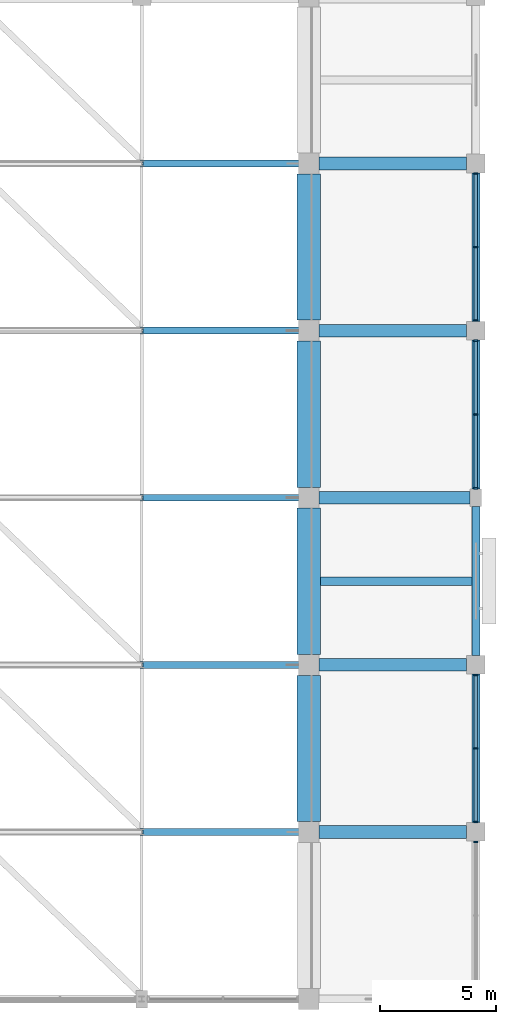
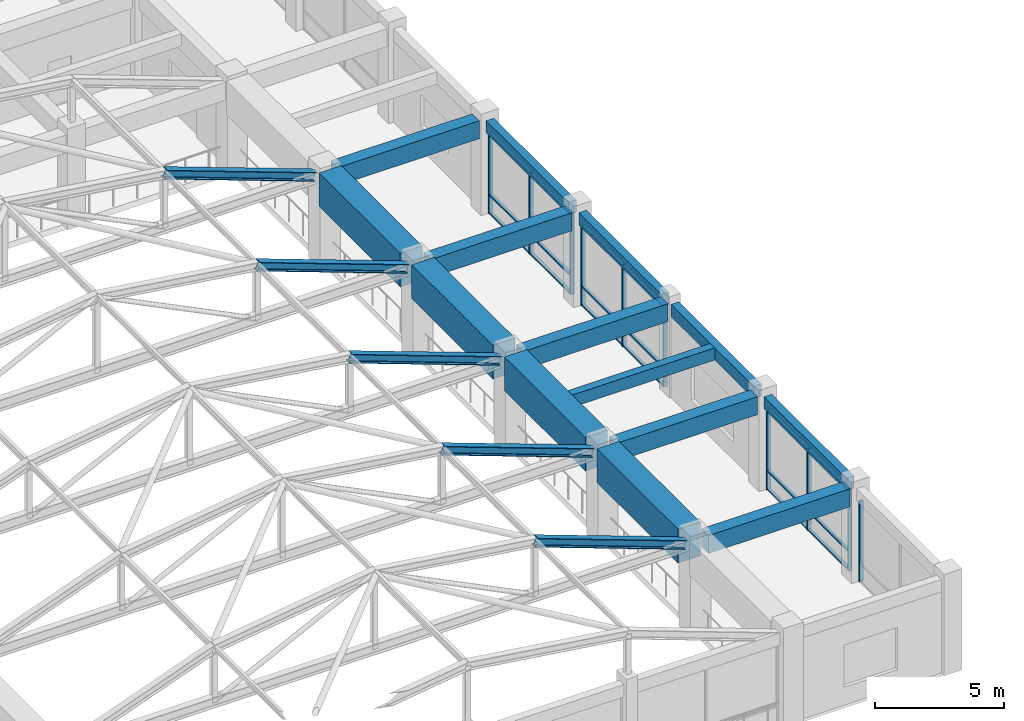
# One storey, part 42 of 75: 33 members, 14 beams, 4 elements without a shape of their own.
"""IFC4 building model written with IfcOpenShell, lengths in metres."""

from ifc_helpers import new_model, si_unit, direction, frame, origin, origin_2d, place, context, subcontext, project, spatial, rectangle, i_section, extrude, material, layer, layer_set, material_profile, profile_set, type_object, element, aggregate, save


model = new_model("IFC4")

# Units and contexts
model_context = context("Model", 3, precision=1e-05, world=origin(), true_north=direction((0.0, 1.0)))
body_context = subcontext(model_context, "Body", "Model", "MODEL_VIEW")
ifc_project = project(units=[si_unit("LENGTHUNIT", "METRE"), si_unit("AREAUNIT", "SQUARE_METRE"), si_unit("VOLUMEUNIT", "CUBIC_METRE"), si_unit("PLANEANGLEUNIT", "RADIAN"), si_unit("MASSUNIT", "GRAM", prefix="KILO")], contexts=[model_context])

# Site, building, storey
site_placement = place(None, origin())
site = spatial("IfcSite", under=ifc_project, at=site_placement, CompositionType="ELEMENT")
building_placement = place(site_placement, origin())
building = spatial("IfcBuilding", under=site, at=building_placement, Name="Cendaluz Park School", CompositionType="ELEMENT")
storey_placement = place(building_placement, frame((0.0, 0.0, 4.800048828125)))
storey = spatial("IfcBuildingStorey", under=building, at=storey_placement, Name="L01", CompositionType="ELEMENT", Elevation=4.800048828125)

# Beams
ifc_material_1 = material(Name="Concrete C40/50", Category="concrete")
ifc_material_profile_1 = material_profile(ifc_material_1, rectangle(XDim=0.550048828125, YDim=0.85009765625, at=origin_2d()), Name="RC 550x850", Category="concrete")
ifc_profile_set_1 = profile_set([ifc_material_profile_1], Name="Concrete C40/50")
beam_type_1 = type_object("IfcBeamType", Name="BM-RC01", PredefinedType="BEAM", material=ifc_profile_set_1)
for number, where, z_axis, x_axis, name in (
    (1, (166.050048828125, 64.800048828125, 4.0048828125), (1.0, 0.0, 0.0), (0.0, 1.0, 0.0), "BM-L01-BMRC01-0217"),
    (2, (166.050048828125, 72.0, 4.0048828125), (1.0, 0.0, 0.0), (0.0, 1.0, 0.0), "BM-L01-BMRC01-0218"),
):
    element("IfcBeam", number, at=place(storey_placement, frame(where, z_axis=z_axis, x_axis=x_axis)), inside=storey, type_object=beam_type_1, Name=name, PredefinedType="BEAM", context=body_context, shape_type="SweptSolid", body=[
        extrude(rectangle(XDim=0.550048828125, YDim=0.85009765625, at=origin_2d()), origin(), (0.0, 0.0, 1.0), 6.349853515625),
    ])
beam_1_placement = place(storey_placement, frame((166.050048828125, 79.199951171875, 4.0048828125), z_axis=(1.0, 0.0, 0.0), x_axis=(0.0, 1.0, 0.0)))
element("IfcBeam", 3, at=beam_1_placement, inside=storey, type_object=beam_type_1, Name="BM-L01-BMRC01-0219", PredefinedType="BEAM", context=body_context, shape_type="SweptSolid", body=[
    extrude(rectangle(XDim=0.550048828125, YDim=0.85009765625, at=origin_2d()), origin(), (0.0, 0.0, 1.0), 6.5),
])
for number, where, z_axis, x_axis, name in (
    (4, (166.050048828125, 86.39990234375, 4.0048828125), (1.0, 0.0, 0.0), (0.0, 1.0, 0.0), "BM-L01-BMRC01-0220"),
    (5, (166.050048828125, 93.60009765625, 4.0048828125), (1.0, 0.0, 0.0), (0.0, 1.0, 0.0), "BM-L01-BMRC01-0221"),
):
    element("IfcBeam", number, at=place(storey_placement, frame(where, z_axis=z_axis, x_axis=x_axis)), inside=storey, type_object=beam_type_1, Name=name, PredefinedType="BEAM", context=body_context, shape_type="SweptSolid", body=[
        extrude(rectangle(XDim=0.550048828125, YDim=0.85009765625, at=origin_2d()), origin(), (0.0, 0.0, 1.0), 6.349853515625),
    ])
ifc_material_profile_2 = material_profile(ifc_material_1, rectangle(XDim=0.35009765625, YDim=0.580078125, at=origin_2d()), Name="RC 350x580", Category="concrete")
ifc_profile_set_2 = profile_set([ifc_material_profile_2], Name="Concrete C40/50")
beam_type_2 = type_object("IfcBeamType", Name="BM-RC04", PredefinedType="LINTEL", material=ifc_profile_set_2)
beam_2_placement = place(storey_placement, frame((172.800048828125, 65.199951171875, 4.139892578125), z_axis=(0.0, 1.0, 0.0), x_axis=(-1.0, 0.0, 0.0)))
element("IfcBeam", 6, at=beam_2_placement, inside=storey, type_object=beam_type_2, Name="BM-L01-BMRC04-0458", PredefinedType="LINTEL", context=body_context, shape_type="SweptSolid", body=[
    extrude(rectangle(XDim=0.35009765625, YDim=0.580078125, at=origin_2d()), origin(), (0.0, 0.0, 1.0), 6.400146484375),
])
for number, where, z_axis, x_axis, name in (
    (7, (172.800048828125, 72.39990234375, 4.139892578125), (0.0, 1.0, 0.0), (-1.0, 0.0, 0.0), "BM-L01-BMRC04-0459"),
    (8, (172.800048828125, 79.574951171875, 4.139892578125), (0.0, 1.0, 0.0), (-1.0, 0.0, 0.0), "BM-L01-BMRC04-0460"),
):
    element("IfcBeam", number, at=place(storey_placement, frame(where, z_axis=z_axis, x_axis=x_axis)), inside=storey, type_object=beam_type_2, Name=name, PredefinedType="LINTEL", context=body_context, shape_type="SweptSolid", body=[
        extrude(rectangle(XDim=0.35009765625, YDim=0.580078125, at=origin_2d()), origin(), (0.0, 0.0, 1.0), 6.425048828125),
    ])
beam_3_placement = place(storey_placement, frame((172.800048828125, 86.800048828125, 4.139892578125), z_axis=(0.0, 1.0, 0.0), x_axis=(-1.0, 0.0, 0.0)))
element("IfcBeam", 9, at=beam_3_placement, inside=storey, type_object=beam_type_2, Name="BM-L01-BMRC04-0461", PredefinedType="LINTEL", context=body_context, shape_type="SweptSolid", body=[
    extrude(rectangle(XDim=0.35009765625, YDim=0.580078125, at=origin_2d()), origin(), (0.0, 0.0, 1.0), 6.39990234375),
])

# Curtain wall, member
ifc_material_2 = material(Name="Anodised Aluminium 6063-T6", Category="aluminium")
ifc_layer = layer(ifc_material_2, 0.179931640625)
ifc_layer_set = layer_set([ifc_layer], Name="Anodised Aluminium 6063-T6")
curtain_wall_type = type_object("IfcCurtainWallType", Name="CW-128x77", PredefinedType="NOTDEFINED", material=ifc_layer_set)
curtain_wall_1_placement = place(storey_placement, origin())
curtain_wall_1 = element("IfcCurtainWall", 10, at=curtain_wall_1_placement, inside=storey, type_object=curtain_wall_type, Name="CW-L01-083", PredefinedType="NOTDEFINED")
ifc_material_profile_3 = material_profile(ifc_material_2, rectangle(XDim=0.179931640625, YDim=0.070068359375, at=origin_2d()), Name="CWM 180x70", Category="aluminium")
ifc_profile_set_3 = profile_set([ifc_material_profile_3], Name="Anodised Aluminium 6063-T6")
member_type_1 = type_object("IfcMemberType", Name="CWM-01", PredefinedType="MULLION", material=ifc_profile_set_3)
member_1_placement = place(storey_placement, frame((172.800048828125, 64.364990234375, 0.0), z_axis=(0.0, 0.0, 1.0), x_axis=(-1.0, 0.0, 0.0)))
member_1 = element("IfcMember", 11, at=member_1_placement, type_object=member_type_1, Name="CP-L01-1069", PredefinedType="MULLION", context=body_context, shape_type="SweptSolid", body=[
    extrude(rectangle(XDim=0.179931640625, YDim=0.070068359375, at=origin_2d()), origin(), (0.0, 0.0, 1.0), 3.849853515625),
])
aggregate(curtain_wall_1, [member_1])

# Curtain wall, members
curtain_wall_2_placement = place(storey_placement, origin())
curtain_wall_2 = element("IfcCurtainWall", 12, at=curtain_wall_2_placement, inside=storey, type_object=curtain_wall_type, Name="CW-L01-084", PredefinedType="NOTDEFINED")
member_2_placement = place(storey_placement, frame((172.800048828125, 65.235107421875, 0.0), z_axis=(0.0, 0.0, 1.0), x_axis=(-1.0, 0.0, 0.0)))
member_2 = element("IfcMember", 13, at=member_2_placement, type_object=member_type_1, Name="CP-L01-1080", PredefinedType="MULLION", context=body_context, shape_type="SweptSolid", body=[
    extrude(rectangle(XDim=0.179931640625, YDim=0.070068359375, at=origin_2d()), origin(), (0.0, 0.0, 1.0), 3.849853515625),
])
member_3_placement = place(storey_placement, frame((172.800048828125, 68.39990234375, 0.0), z_axis=(0.0, 0.0, 1.0), x_axis=(-1.0, 0.0, 0.0)))
member_3 = element("IfcMember", 14, at=member_3_placement, type_object=member_type_1, Name="CP-L01-1081", PredefinedType="MULLION", context=body_context, shape_type="SweptSolid", body=[
    extrude(rectangle(XDim=0.179931640625, YDim=0.070068359375, at=origin_2d()), origin(), (0.0, 0.0, 1.0), 3.849853515625),
])
member_4_placement = place(storey_placement, frame((172.800048828125, 71.56494140625, 0.0), z_axis=(0.0, 0.0, 1.0), x_axis=(-1.0, 0.0, 0.0)))
member_4 = element("IfcMember", 15, at=member_4_placement, type_object=member_type_1, Name="CP-L01-1082", PredefinedType="MULLION", context=body_context, shape_type="SweptSolid", body=[
    extrude(rectangle(XDim=0.179931640625, YDim=0.070068359375, at=origin_2d()), origin(), (0.0, 0.0, 1.0), 3.849853515625),
])

curtain_wall_3_placement = place(storey_placement, origin())
curtain_wall_3 = element("IfcCurtainWall", 16, at=curtain_wall_3_placement, inside=storey, type_object=curtain_wall_type, Name="CW-L01-085", PredefinedType="NOTDEFINED")
member_5_placement = place(storey_placement, frame((172.800048828125, 79.610107421875, 0.0), z_axis=(0.0, 0.0, 1.0), x_axis=(-1.0, 0.0, 0.0)))
member_5 = element("IfcMember", 17, at=member_5_placement, type_object=member_type_1, Name="CP-L01-1093", PredefinedType="MULLION", context=body_context, shape_type="SweptSolid", body=[
    extrude(rectangle(XDim=0.179931640625, YDim=0.070068359375, at=origin_2d()), origin(), (0.0, 0.0, 1.0), 3.849853515625),
])
member_6_placement = place(storey_placement, frame((172.800048828125, 82.78759765625, 0.0), z_axis=(0.0, 0.0, 1.0), x_axis=(-1.0, 0.0, 0.0)))
member_6 = element("IfcMember", 18, at=member_6_placement, type_object=member_type_1, Name="CP-L01-1094", PredefinedType="MULLION", context=body_context, shape_type="SweptSolid", body=[
    extrude(rectangle(XDim=0.179931640625, YDim=0.070068359375, at=origin_2d()), origin(), (0.0, 0.0, 1.0), 3.849853515625),
])
member_7_placement = place(storey_placement, frame((172.800048828125, 85.965087890625, 0.0), z_axis=(0.0, 0.0, 1.0), x_axis=(-1.0, 0.0, 0.0)))
member_7 = element("IfcMember", 19, at=member_7_placement, type_object=member_type_1, Name="CP-L01-1095", PredefinedType="MULLION", context=body_context, shape_type="SweptSolid", body=[
    extrude(rectangle(XDim=0.179931640625, YDim=0.070068359375, at=origin_2d()), origin(), (0.0, 0.0, 1.0), 3.849853515625),
])

curtain_wall_4_placement = place(storey_placement, origin())
curtain_wall_4 = element("IfcCurtainWall", 20, at=curtain_wall_4_placement, inside=storey, type_object=curtain_wall_type, Name="CW-L01-086", PredefinedType="NOTDEFINED")
member_8_placement = place(storey_placement, frame((172.800048828125, 86.8349609375, 0.0), z_axis=(0.0, 0.0, 1.0), x_axis=(-1.0, 0.0, 0.0)))
member_8 = element("IfcMember", 21, at=member_8_placement, type_object=member_type_1, Name="CP-L01-1106", PredefinedType="MULLION", context=body_context, shape_type="SweptSolid", body=[
    extrude(rectangle(XDim=0.179931640625, YDim=0.070068359375, at=origin_2d()), origin(), (0.0, 0.0, 1.0), 3.849853515625),
])
member_9_placement = place(storey_placement, frame((172.800048828125, 90.0, 0.0), z_axis=(0.0, 0.0, 1.0), x_axis=(-1.0, 0.0, 0.0)))
member_9 = element("IfcMember", 22, at=member_9_placement, type_object=member_type_1, Name="CP-L01-1107", PredefinedType="MULLION", context=body_context, shape_type="SweptSolid", body=[
    extrude(rectangle(XDim=0.179931640625, YDim=0.070068359375, at=origin_2d()), origin(), (0.0, 0.0, 1.0), 3.849853515625),
])
member_10_placement = place(storey_placement, frame((172.800048828125, 93.1650390625, 0.0), z_axis=(0.0, 0.0, 1.0), x_axis=(-1.0, 0.0, 0.0)))
member_10 = element("IfcMember", 23, at=member_10_placement, type_object=member_type_1, Name="CP-L01-1108", PredefinedType="MULLION", context=body_context, shape_type="SweptSolid", body=[
    extrude(rectangle(XDim=0.179931640625, YDim=0.070068359375, at=origin_2d()), origin(), (0.0, 0.0, 1.0), 3.849853515625),
])

# Member
ifc_material_profile_4 = material_profile(ifc_material_2, rectangle(XDim=0.139892578125, YDim=0.070068359375, at=origin_2d()), Name="CWT 140x70", Category="aluminium")
ifc_profile_set_4 = profile_set([ifc_material_profile_4], Name="Anodised Aluminium 6063-T6")
member_type_2 = type_object("IfcMemberType", Name="CWT-01", PredefinedType="USERDEFINED", material=ifc_profile_set_4)
member_11_placement = place(storey_placement, frame((172.800048828125, 65.27001953125, 0.034912109375), z_axis=(0.0, 1.0, 0.0), x_axis=(-1.0, 0.0, 0.0)))
member_11 = element("IfcMember", 24, at=member_11_placement, type_object=member_type_2, Name="CP-L01-1083", ObjectType="TRANSOM", PredefinedType="USERDEFINED", context=body_context, shape_type="SweptSolid", body=[
    extrude(rectangle(XDim=0.139892578125, YDim=0.070068359375, at=origin_2d()), origin(), (0.0, 0.0, 1.0), 3.094970703125),
])

member_12_placement = place(storey_placement, frame((172.800048828125, 65.27001953125, 0.89990234375), z_axis=(0.0, 1.0, 0.0), x_axis=(-1.0, 0.0, 0.0)))
member_12 = element("IfcMember", 25, at=member_12_placement, type_object=member_type_2, Name="CP-L01-1084", ObjectType="TRANSOM", PredefinedType="USERDEFINED", context=body_context, shape_type="SweptSolid", body=[
    extrude(rectangle(XDim=0.139892578125, YDim=0.070068359375, at=origin_2d()), origin(), (0.0, 0.0, 1.0), 3.094970703125),
])

member_13_placement = place(storey_placement, frame((172.800048828125, 65.27001953125, 3.81494140625), z_axis=(0.0, 1.0, 0.0), x_axis=(-1.0, 0.0, 0.0)))
member_13 = element("IfcMember", 26, at=member_13_placement, type_object=member_type_2, Name="CP-L01-1085", ObjectType="TRANSOM", PredefinedType="USERDEFINED", context=body_context, shape_type="SweptSolid", body=[
    extrude(rectangle(XDim=0.139892578125, YDim=0.070068359375, at=origin_2d()), origin(), (0.0, 0.0, 1.0), 3.094970703125),
])

member_14_placement = place(storey_placement, frame((172.800048828125, 68.43505859375, 0.034912109375), z_axis=(0.0, 1.0, 0.0), x_axis=(-1.0, 0.0, 0.0)))
member_14 = element("IfcMember", 27, at=member_14_placement, type_object=member_type_2, Name="CP-L01-1088", ObjectType="TRANSOM", PredefinedType="USERDEFINED", context=body_context, shape_type="SweptSolid", body=[
    extrude(rectangle(XDim=0.139892578125, YDim=0.070068359375, at=origin_2d()), origin(), (0.0, 0.0, 1.0), 3.094970703125),
])

member_15_placement = place(storey_placement, frame((172.800048828125, 68.43505859375, 0.89990234375), z_axis=(0.0, 1.0, 0.0), x_axis=(-1.0, 0.0, 0.0)))
member_15 = element("IfcMember", 28, at=member_15_placement, type_object=member_type_2, Name="CP-L01-1089", ObjectType="TRANSOM", PredefinedType="USERDEFINED", context=body_context, shape_type="SweptSolid", body=[
    extrude(rectangle(XDim=0.139892578125, YDim=0.070068359375, at=origin_2d()), origin(), (0.0, 0.0, 1.0), 3.094970703125),
])

member_16_placement = place(storey_placement, frame((172.800048828125, 68.43505859375, 3.81494140625), z_axis=(0.0, 1.0, 0.0), x_axis=(-1.0, 0.0, 0.0)))
member_16 = element("IfcMember", 29, at=member_16_placement, type_object=member_type_2, Name="CP-L01-1090", ObjectType="TRANSOM", PredefinedType="USERDEFINED", context=body_context, shape_type="SweptSolid", body=[
    extrude(rectangle(XDim=0.139892578125, YDim=0.070068359375, at=origin_2d()), origin(), (0.0, 0.0, 1.0), 3.094970703125),
])

aggregate(curtain_wall_2, [member_2, member_3, member_4, member_11, member_12, member_13, member_14, member_15, member_16])

member_17_placement = place(storey_placement, frame((172.800048828125, 79.64501953125, 0.034912109375), z_axis=(0.0, 1.0, 0.0), x_axis=(-1.0, 0.0, 0.0)))
member_17 = element("IfcMember", 30, at=member_17_placement, type_object=member_type_2, Name="CP-L01-1096", ObjectType="TRANSOM", PredefinedType="USERDEFINED", context=body_context, shape_type="SweptSolid", body=[
    extrude(rectangle(XDim=0.139892578125, YDim=0.070068359375, at=origin_2d()), origin(), (0.0, 0.0, 1.0), 3.107421875),
])

member_18_placement = place(storey_placement, frame((172.800048828125, 79.64501953125, 0.89990234375), z_axis=(0.0, 1.0, 0.0), x_axis=(-1.0, 0.0, 0.0)))
member_18 = element("IfcMember", 31, at=member_18_placement, type_object=member_type_2, Name="CP-L01-1097", ObjectType="TRANSOM", PredefinedType="USERDEFINED", context=body_context, shape_type="SweptSolid", body=[
    extrude(rectangle(XDim=0.139892578125, YDim=0.070068359375, at=origin_2d()), origin(), (0.0, 0.0, 1.0), 3.107421875),
])

member_19_placement = place(storey_placement, frame((172.800048828125, 79.64501953125, 3.81494140625), z_axis=(0.0, 1.0, 0.0), x_axis=(-1.0, 0.0, 0.0)))
member_19 = element("IfcMember", 32, at=member_19_placement, type_object=member_type_2, Name="CP-L01-1098", ObjectType="TRANSOM", PredefinedType="USERDEFINED", context=body_context, shape_type="SweptSolid", body=[
    extrude(rectangle(XDim=0.139892578125, YDim=0.070068359375, at=origin_2d()), origin(), (0.0, 0.0, 1.0), 3.107421875),
])

member_20_placement = place(storey_placement, frame((172.800048828125, 82.822509765625, 0.034912109375), z_axis=(0.0, 1.0, 0.0), x_axis=(-1.0, 0.0, 0.0)))
member_20 = element("IfcMember", 33, at=member_20_placement, type_object=member_type_2, Name="CP-L01-1101", ObjectType="TRANSOM", PredefinedType="USERDEFINED", context=body_context, shape_type="SweptSolid", body=[
    extrude(rectangle(XDim=0.139892578125, YDim=0.070068359375, at=origin_2d()), origin(), (0.0, 0.0, 1.0), 3.107421875),
])

member_21_placement = place(storey_placement, frame((172.800048828125, 82.822509765625, 0.89990234375), z_axis=(0.0, 1.0, 0.0), x_axis=(-1.0, 0.0, 0.0)))
member_21 = element("IfcMember", 34, at=member_21_placement, type_object=member_type_2, Name="CP-L01-1102", ObjectType="TRANSOM", PredefinedType="USERDEFINED", context=body_context, shape_type="SweptSolid", body=[
    extrude(rectangle(XDim=0.139892578125, YDim=0.070068359375, at=origin_2d()), origin(), (0.0, 0.0, 1.0), 3.107421875),
])

member_22_placement = place(storey_placement, frame((172.800048828125, 82.822509765625, 3.81494140625), z_axis=(0.0, 1.0, 0.0), x_axis=(-1.0, 0.0, 0.0)))
member_22 = element("IfcMember", 35, at=member_22_placement, type_object=member_type_2, Name="CP-L01-1103", ObjectType="TRANSOM", PredefinedType="USERDEFINED", context=body_context, shape_type="SweptSolid", body=[
    extrude(rectangle(XDim=0.139892578125, YDim=0.070068359375, at=origin_2d()), origin(), (0.0, 0.0, 1.0), 3.107421875),
])

aggregate(curtain_wall_3, [member_5, member_6, member_7, member_17, member_18, member_19, member_20, member_21, member_22])

member_23_placement = place(storey_placement, frame((172.800048828125, 86.8701171875, 0.034912109375), z_axis=(0.0, 1.0, 0.0), x_axis=(-1.0, 0.0, 0.0)))
member_23 = element("IfcMember", 36, at=member_23_placement, type_object=member_type_2, Name="CP-L01-1109", ObjectType="TRANSOM", PredefinedType="USERDEFINED", context=body_context, shape_type="SweptSolid", body=[
    extrude(rectangle(XDim=0.139892578125, YDim=0.070068359375, at=origin_2d()), origin(), (0.0, 0.0, 1.0), 3.094970703125),
])

member_24_placement = place(storey_placement, frame((172.800048828125, 86.8701171875, 0.89990234375), z_axis=(0.0, 1.0, 0.0), x_axis=(-1.0, 0.0, 0.0)))
member_24 = element("IfcMember", 37, at=member_24_placement, type_object=member_type_2, Name="CP-L01-1110", ObjectType="TRANSOM", PredefinedType="USERDEFINED", context=body_context, shape_type="SweptSolid", body=[
    extrude(rectangle(XDim=0.139892578125, YDim=0.070068359375, at=origin_2d()), origin(), (0.0, 0.0, 1.0), 3.094970703125),
])

member_25_placement = place(storey_placement, frame((172.800048828125, 86.8701171875, 3.81494140625), z_axis=(0.0, 1.0, 0.0), x_axis=(-1.0, 0.0, 0.0)))
member_25 = element("IfcMember", 38, at=member_25_placement, type_object=member_type_2, Name="CP-L01-1111", ObjectType="TRANSOM", PredefinedType="USERDEFINED", context=body_context, shape_type="SweptSolid", body=[
    extrude(rectangle(XDim=0.139892578125, YDim=0.070068359375, at=origin_2d()), origin(), (0.0, 0.0, 1.0), 3.094970703125),
])

member_26_placement = place(storey_placement, frame((172.800048828125, 90.034912109375, 0.034912109375), z_axis=(0.0, 1.0, 0.0), x_axis=(-1.0, 0.0, 0.0)))
member_26 = element("IfcMember", 39, at=member_26_placement, type_object=member_type_2, Name="CP-L01-1114", ObjectType="TRANSOM", PredefinedType="USERDEFINED", context=body_context, shape_type="SweptSolid", body=[
    extrude(rectangle(XDim=0.139892578125, YDim=0.070068359375, at=origin_2d()), origin(), (0.0, 0.0, 1.0), 3.094970703125),
])

member_27_placement = place(storey_placement, frame((172.800048828125, 90.034912109375, 0.89990234375), z_axis=(0.0, 1.0, 0.0), x_axis=(-1.0, 0.0, 0.0)))
member_27 = element("IfcMember", 40, at=member_27_placement, type_object=member_type_2, Name="CP-L01-1115", ObjectType="TRANSOM", PredefinedType="USERDEFINED", context=body_context, shape_type="SweptSolid", body=[
    extrude(rectangle(XDim=0.139892578125, YDim=0.070068359375, at=origin_2d()), origin(), (0.0, 0.0, 1.0), 3.094970703125),
])

member_28_placement = place(storey_placement, frame((172.800048828125, 90.034912109375, 3.81494140625), z_axis=(0.0, 1.0, 0.0), x_axis=(-1.0, 0.0, 0.0)))
member_28 = element("IfcMember", 41, at=member_28_placement, type_object=member_type_2, Name="CP-L01-1116", ObjectType="TRANSOM", PredefinedType="USERDEFINED", context=body_context, shape_type="SweptSolid", body=[
    extrude(rectangle(XDim=0.139892578125, YDim=0.070068359375, at=origin_2d()), origin(), (0.0, 0.0, 1.0), 3.094970703125),
])

aggregate(curtain_wall_4, [member_8, member_9, member_10, member_23, member_24, member_25, member_26, member_27, member_28])

# Beam
ifc_material_profile_5 = material_profile(ifc_material_1, rectangle(XDim=0.35009765625, YDim=0.580078125, at=origin_2d()), Name="RC 350x580", Category="concrete")
ifc_profile_set_5 = profile_set([ifc_material_profile_5], Name="Concrete C40/50")
beam_type_3 = type_object("IfcBeamType", Name="JT-RC01", PredefinedType="JOIST", material=ifc_profile_set_5)
beam_4_placement = place(storey_placement, frame((166.10009765625, 75.60009765625, 4.139892578125), z_axis=(1.0, 0.0, 0.0), x_axis=(0.0, 1.0, 0.0)))
element("IfcBeam", 42, at=beam_4_placement, inside=storey, type_object=beam_type_3, Name="BM-L01-JTRC01-0523", PredefinedType="JOIST", context=body_context, shape_type="SweptSolid", body=[
    extrude(rectangle(XDim=0.35009765625, YDim=0.580078125, at=origin_2d()), origin(), (0.0, 0.0, 1.0), 6.52490234375),
])

# Members
ifc_material_3 = material(Name="Steel S355", Category="steel")
ifc_material_profile_6 = material_profile(ifc_material_3, i_section(OverallWidth=0.300048828125, OverallDepth=0.39990234375, WebThickness=0.013916015625, FlangeThickness=0.02392578125, FilletRadius=0.027099609375, at=origin_2d()), Name="HEB 400", Category="steel")
ifc_profile_set_6 = profile_set([ifc_material_profile_6], Name="Steel S355")
member_type_3 = type_object("IfcMemberType", Name="MB-CH01", PredefinedType="CHORD", material=ifc_profile_set_6)
for number, where, z_axis, x_axis, name in (
    (43, (158.39990234375, 64.800048828125, 6.68994140625), (0.939102267455, 0.0, -0.343637790793), (0.0, 1.0, 0.0), "MB-L01-MBCH01-0098"),
    (44, (158.39990234375, 72.0, 6.68994140625), (0.939102267455, 0.0, -0.343637790793), (0.0, 1.0, 0.0), "MB-L01-MBCH01-0107"),
    (45, (158.39990234375, 79.199951171875, 6.68994140625), (0.939102267455, 0.0, -0.343637790793), (0.0, 1.0, 0.0), "MB-L01-MBCH01-0116"),
    (46, (158.39990234375, 86.39990234375, 6.68994140625), (0.939102267455, 0.0, -0.343637790793), (0.0, 1.0, 0.0), "MB-L01-MBCH01-0125"),
    (47, (158.39990234375, 93.60009765625, 6.68994140625), (0.939102267455, 0.0, -0.343637790793), (0.0, 1.0, 0.0), "MB-L01-MBCH01-0134"),
):
    element("IfcMember", number, at=place(storey_placement, frame(where, z_axis=z_axis, x_axis=x_axis)), inside=storey, type_object=member_type_3, Name=name, PredefinedType="CHORD", context=body_context, shape_type="SweptSolid", body=[
        extrude(i_section(OverallWidth=0.300048828125, OverallDepth=0.39990234375, WebThickness=0.013916015625, FlangeThickness=0.02392578125, FilletRadius=0.027099609375, at=origin_2d()), origin(), (0.0, 0.0, 1.0), 7.187744140625),
    ])

# Beams
ifc_material_profile_7 = material_profile(ifc_material_1, rectangle(XDim=1.0, YDim=1.60009765625, at=origin_2d()), Name="RC 1000x1600", Category="concrete")
ifc_profile_set_7 = profile_set([ifc_material_profile_7], Name="Concrete C40/50")
beam_type_4 = type_object("IfcBeamType", Name="TG-RC01", PredefinedType="BEAM", material=ifc_profile_set_7)
for number, where, z_axis, x_axis, name in (
    (48, (165.60009765625, 65.25, 3.820068359375), (0.0, 1.0, 0.0), (-1.0, 0.0, 0.0), "Barrel Vault Collector Girder BM-L01-TGRC01-0446"),
    (49, (165.60009765625, 72.449951171875, 3.820068359375), (0.0, 1.0, 0.0), (-1.0, 0.0, 0.0), "Barrel Vault Collector Girder BM-L01-TGRC01-0447"),
    (50, (165.60009765625, 79.64990234375, 3.820068359375), (0.0, 1.0, 0.0), (-1.0, 0.0, 0.0), "Barrel Vault Collector Girder BM-L01-TGRC01-0448"),
):
    element("IfcBeam", number, at=place(storey_placement, frame(where, z_axis=z_axis, x_axis=x_axis)), inside=storey, type_object=beam_type_4, Name=name, PredefinedType="BEAM", context=body_context, shape_type="SweptSolid", body=[
        extrude(rectangle(XDim=1.0, YDim=1.60009765625, at=origin_2d()), origin(), (0.0, 0.0, 1.0), 6.300048828125),
    ])
beam_5_placement = place(storey_placement, frame((165.60009765625, 86.85009765625, 3.820068359375), z_axis=(0.0, 1.0, 0.0), x_axis=(-1.0, 0.0, 0.0)))
element("IfcBeam", 51, at=beam_5_placement, inside=storey, type_object=beam_type_4, Name="Barrel Vault Collector Girder BM-L01-TGRC01-0449", PredefinedType="BEAM", context=body_context, shape_type="SweptSolid", body=[
    extrude(rectangle(XDim=1.0, YDim=1.60009765625, at=origin_2d()), origin(), (0.0, 0.0, 1.0), 6.2998046875),
])

save(model, "model.ifc")
